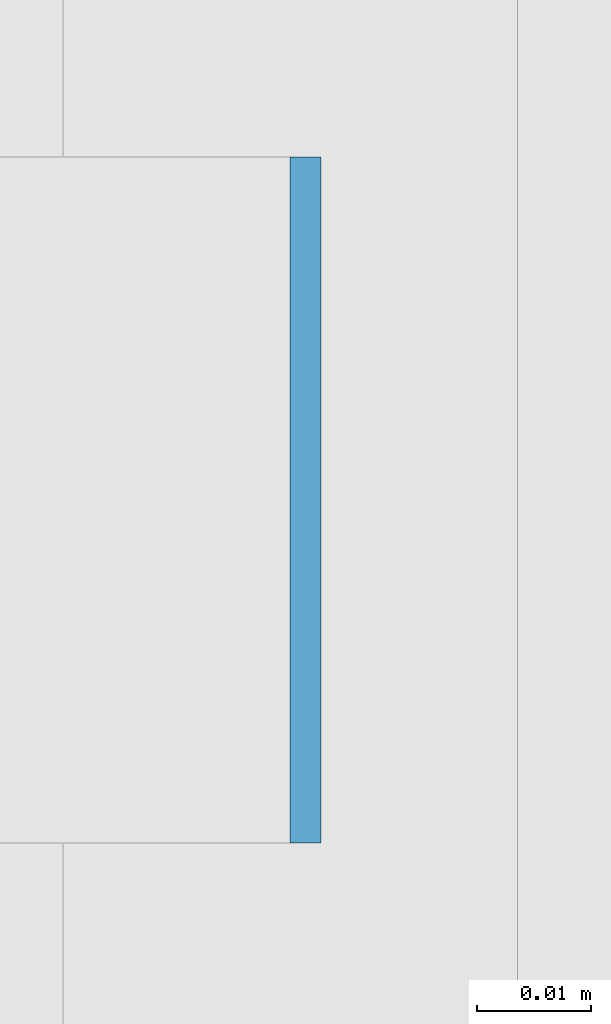
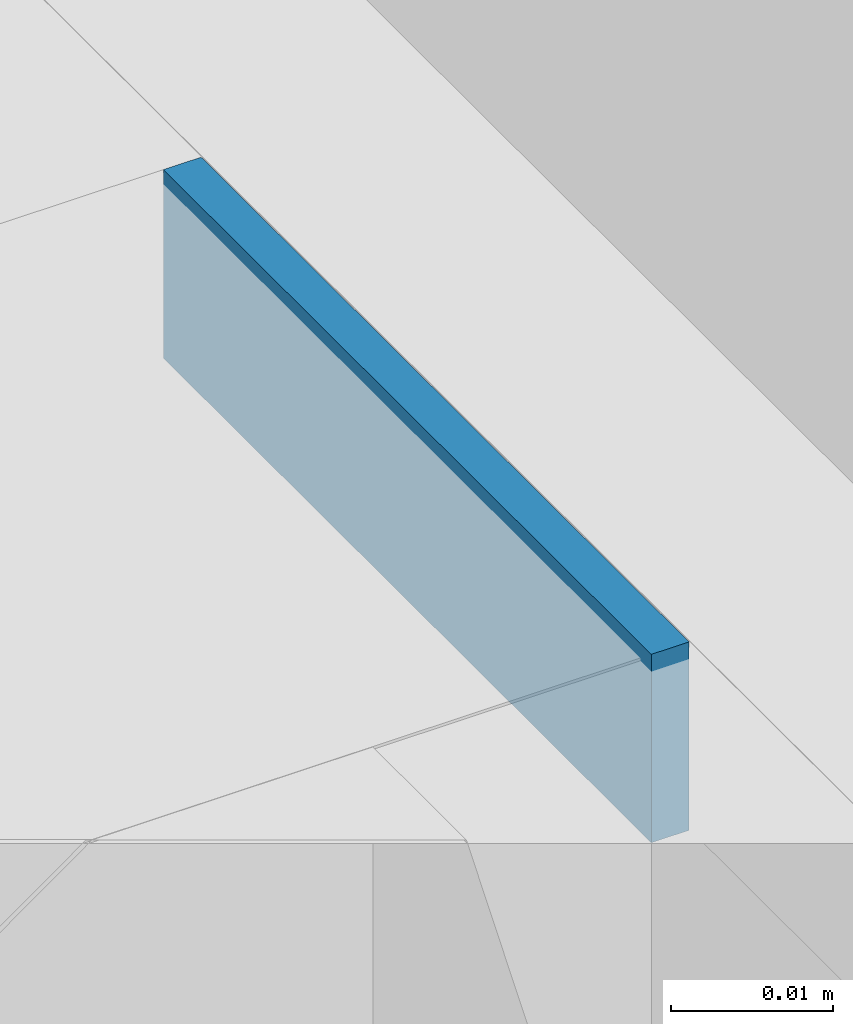
# One storey, part 421 of 646: 1 discrete accessory.
"""IFC4 building model written with IfcOpenShell, lengths in metres."""

from ifc_helpers import new_model, si_unit, direction, frame, origin, origin_2d, place, context, subcontext, project, spatial, rectangle, extrude, material, type_object, element, save


model = new_model("IFC4")

# Units and contexts
model_context = context("Model", 3, precision=1e-05, world=origin(), true_north=direction((0.0, 1.0)))
body_context = subcontext(model_context, "Body", "Model", "MODEL_VIEW")
ifc_project = project(units=[si_unit("LENGTHUNIT", "METRE"), si_unit("AREAUNIT", "SQUARE_METRE"), si_unit("VOLUMEUNIT", "CUBIC_METRE"), si_unit("PLANEANGLEUNIT", "RADIAN"), si_unit("MASSUNIT", "GRAM", prefix="KILO")], contexts=[model_context])

# Site, building, storey
site_placement = place(None, origin())
site = spatial("IfcSite", under=ifc_project, at=site_placement, CompositionType="ELEMENT")
building_placement = place(site_placement, origin())
building = spatial("IfcBuilding", under=site, at=building_placement, Name="Silverbay Arena", CompositionType="ELEMENT")
storey_placement = place(building_placement, frame((0.0, 0.0, 33.5)))
storey = spatial("IfcBuildingStorey", under=building, at=storey_placement, Name="L05", CompositionType="ELEMENT", Elevation=33.5)

# Discrete accessory
ifc_material = material(Name="Steel S355", Category="steel")
discrete_accessory_type = type_object("IfcDiscreteAccessoryType", Name="Steel bracket plate", PredefinedType="BRACKET", material=ifc_material)
discrete_accessory_placement = place(storey_placement, frame((53.871337890625, 131.7333984375, 12.98583984375), z_axis=(0.0, 0.0, 1.0), x_axis=(1.0, 0.0, 0.0)))
element("IfcDiscreteAccessory", 1, at=discrete_accessory_placement, inside=storey, type_object=discrete_accessory_type, Name="Curtain wall packing plate", PredefinedType="BRACKET", context=body_context, shape_type="SweptSolid", body=[
    extrude(rectangle(XDim=0.002685546875, YDim=0.06005859375, at=origin_2d()), origin(), (0.0, 0.0, 1.0), 0.01416015625),
])

save(model, "model.ifc")
